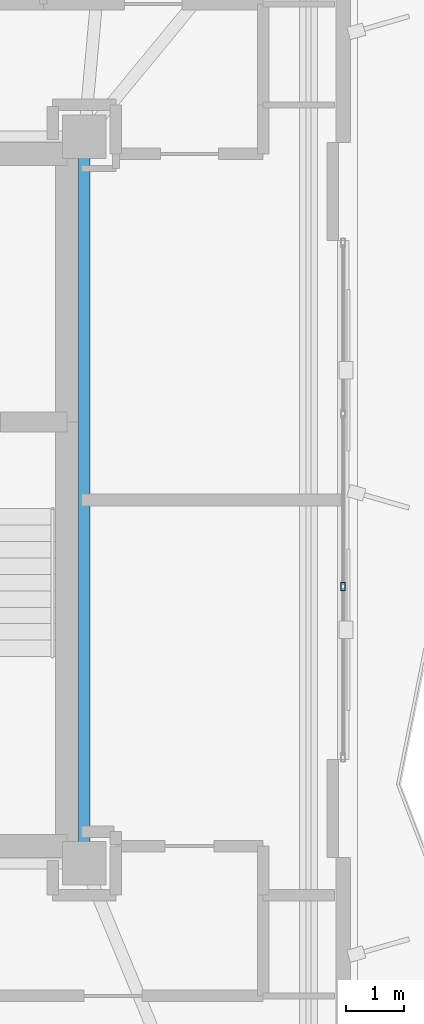
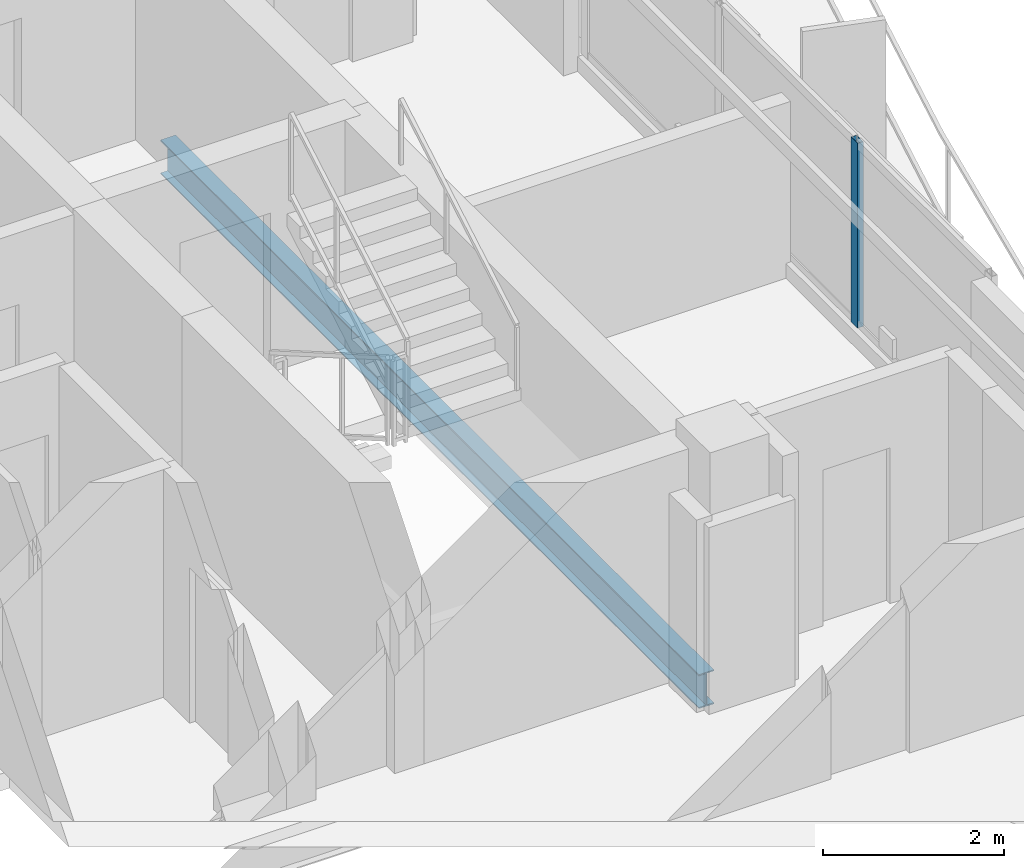
# One storey, part 11 of 21: 1 beam, 1 member, 1 element without a shape of its own.
"""IFC4 building model written with IfcOpenShell, lengths in metres."""

from ifc_helpers import new_model, si_unit, direction, frame, origin, origin_2d, place, context, subcontext, project, spatial, hollow_rectangle, i_section, extrude, material, layer, layer_set, material_profile, profile_set, type_object, element, aggregate, save


model = new_model("IFC4")

# Units and contexts
model_context = context("Model", 3, precision=1e-05, world=origin(), true_north=direction((0.0, 1.0)))
body_context = subcontext(model_context, "Body", "Model", "MODEL_VIEW")
ifc_project = project(units=[si_unit("LENGTHUNIT", "METRE"), si_unit("AREAUNIT", "SQUARE_METRE"), si_unit("VOLUMEUNIT", "CUBIC_METRE"), si_unit("PLANEANGLEUNIT", "RADIAN"), si_unit("MASSUNIT", "GRAM", prefix="KILO")], contexts=[model_context])

# Site, building, storey
site_placement = place(None, origin())
site = spatial("IfcSite", under=ifc_project, at=site_placement, CompositionType="ELEMENT")
building_placement = place(site_placement, origin())
building = spatial("IfcBuilding", under=site, at=building_placement, Name="Mersakhor Tower and Convention Hall", CompositionType="ELEMENT")
storey_placement = place(building_placement, frame((0.0, 0.0, 182.10009765625)))
storey = spatial("IfcBuildingStorey", under=building, at=storey_placement, Name="L50", CompositionType="ELEMENT", Elevation=182.10009765625)

# Beam
ifc_material_1 = material(Name="Steel S355", Category="steel")
ifc_material_profile_1 = material_profile(ifc_material_1, i_section(OverallWidth=0.19140625, OverallDepth=0.4599609375, WebThickness=0.010009765625, FlangeThickness=0.01611328125, at=origin_2d()), Name="UB 457x191x82")
ifc_profile_set_1 = profile_set([ifc_material_profile_1], Name="Steel S355")
beam_type = type_object("IfcBeamType", Name="BM-FB-457", PredefinedType="BEAM", material=ifc_profile_set_1)
beam_placement = place(storey_placement, frame((36.10009765625, 32.695068359375, -0.460205078125), z_axis=(0.0, -1.0, 0.0), x_axis=(1.0, 0.0, 0.0)))
element("IfcBeam", 1, at=beam_placement, inside=storey, type_object=beam_type, Name="L50 Core Ring Tie Beam CRB-3", PredefinedType="BEAM", context=body_context, shape_type="SweptSolid", body=[
    extrude(i_section(OverallWidth=0.19140625, OverallDepth=0.4599609375, WebThickness=0.010009765625, FlangeThickness=0.01611328125, at=origin_2d()), origin(), (0.0, 0.0, 1.0), 11.89013671875),
])

# Curtain wall, member
ifc_material_2 = material(Name="Dark solar low-E aluminium curtain wall", Category="aluminium")
ifc_layer = layer(ifc_material_2, 0.169921875)
ifc_layer_set = layer_set([ifc_layer], Name="Dark solar low-E aluminium curtain wall")
curtain_wall_type = type_object("IfcCurtainWallType", Name="CW-SYS-02", PredefinedType="USERDEFINED", material=ifc_layer_set)
curtain_wall_placement = place(storey_placement, origin())
curtain_wall = element("IfcCurtainWall", 2, at=curtain_wall_placement, inside=storey, type_object=curtain_wall_type, Name="L50 Dark-Glass Curtain Wall F2-B2", ObjectType="CURTAIN WALL", PredefinedType="USERDEFINED")
ifc_material_3 = material(Name="Anodised aluminium EN AW-6063 T6", Category="aluminium")
ifc_material_profile_2 = material_profile(ifc_material_3, hollow_rectangle(XDim=0.074951171875, YDim=0.14990234375, WallThickness=0.00634765625, at=origin_2d()), Name="RHS 150x75x6.3")
ifc_profile_set_2 = profile_set([ifc_material_profile_2], Name="Anodised aluminium EN AW-6063 T6")
member_type = type_object("IfcMemberType", Name="CWM-150x75", PredefinedType="MULLION", material=ifc_profile_set_2)
member_placement = place(storey_placement, frame((40.58837890625, 25.250244140625, 0.199951171875), z_axis=(0.0, 0.0, 1.0), x_axis=(1.0, 0.0, 0.0)))
member = element("IfcMember", 3, at=member_placement, type_object=member_type, Name="CW-02 mullion 3", PredefinedType="MULLION", context=body_context, shape_type="SweptSolid", body=[
    extrude(hollow_rectangle(XDim=0.074951171875, YDim=0.14990234375, WallThickness=0.00634765625, at=origin_2d()), origin(), (0.0, 0.0, 1.0), 2.489990234375),
])
aggregate(curtain_wall, [member])

save(model, "model.ifc")
